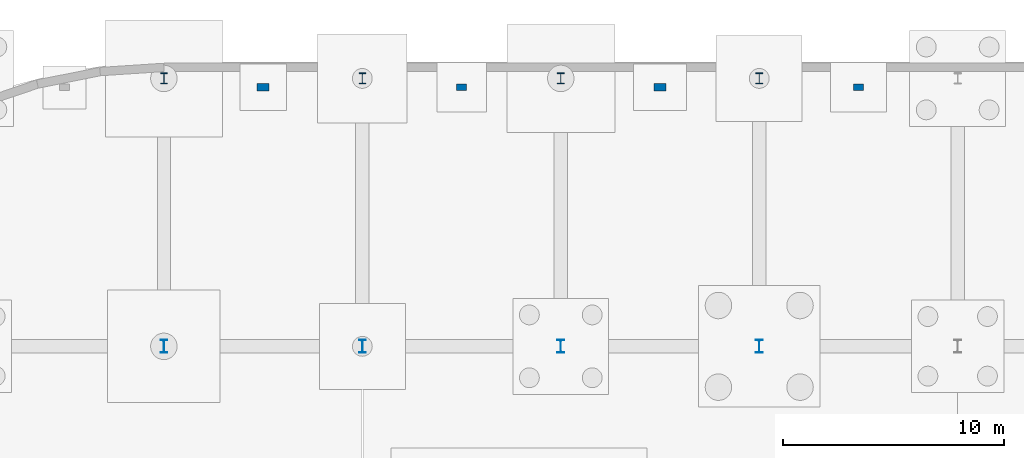
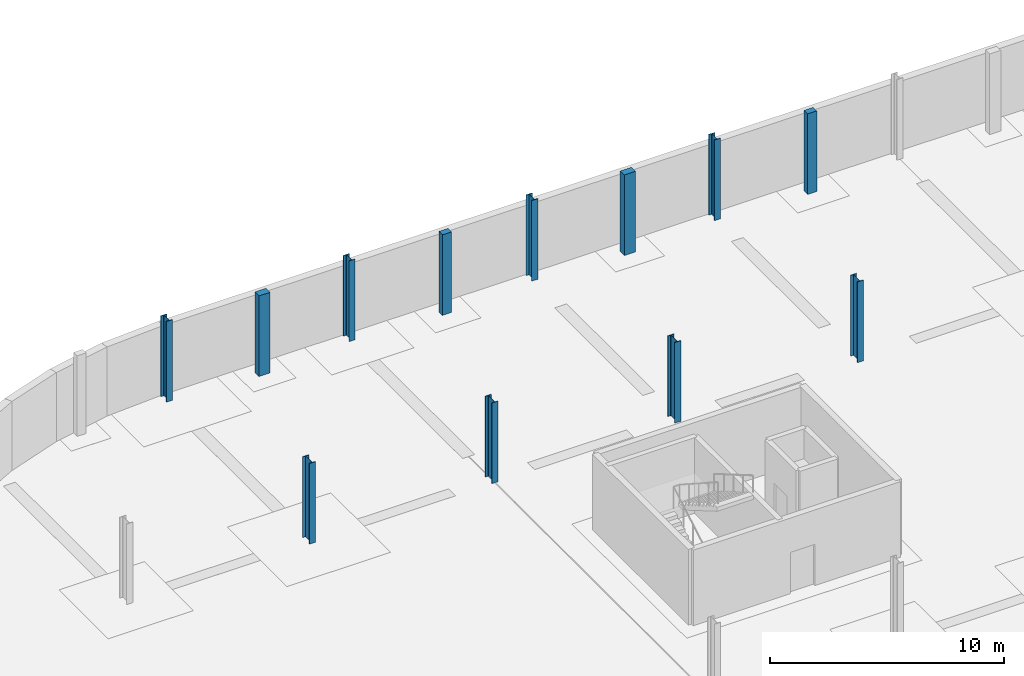
# One storey, part 22 of 42: 12 columns.
"""IFC4 building model written with IfcOpenShell, lengths in metres."""

import ifcopenshell
import ifcopenshell.guid

model = None  # the IFC model being written
_history = None  # IfcOwnerHistory: only IFC2X3 demands one
_inside = {}  # id of a spatial element -> (the spatial element, [elements in it])
_under = {}  # id of a project, library or spatial element -> (it, [spatial elements below it])
_declared = {}  # id of a project -> (the project, [libraries it declares])
_typed = {}  # id of a type object -> (the type object, [elements of that type])
_made_of = {}  # id of a material, layer set ... -> (it, [elements and type objects made of it])


def new_model(schema):
    """Start an empty IFC model of exactly this schema.

    Asked for "IFC4X3", IfcOpenShell would pick the latest addendum, in which some entities
    have other attributes; the version numbers below select the first issue.
    IFC2X3 requires an IfcOwnerHistory on every rooted entity: one is made here for all.
    """
    global model, _history
    if schema == "IFC4X3":
        model = ifcopenshell.file(schema_version=(4, 3, 0, 0))
    else:
        model = ifcopenshell.file(schema=schema)
    _inside.clear()
    _under.clear()
    _declared.clear()
    _typed.clear()
    _made_of.clear()
    _history = None
    if model.schema == "IFC2X3":
        org = make("IfcOrganization", Name="unknown")
        user = make(
            "IfcPersonAndOrganization",
            ThePerson=make("IfcPerson", FamilyName="unknown"),
            TheOrganization=org,
        )
        app = make(
            "IfcApplication",
            ApplicationDeveloper=org,
            Version="unknown",
            ApplicationFullName="unknown",
            ApplicationIdentifier="unknown",
        )
        _history = make(
            "IfcOwnerHistory",
            OwningUser=user,
            OwningApplication=app,
            ChangeAction="ADDED",
            CreationDate=0,
        )
    return model


def make(cls, **values):
    """One entity of the class cls with the attributes given. An attribute that is None is left unset."""
    return model.create_entity(
        cls, **{name: value for name, value in values.items() if value is not None}
    )


def rooted(cls, **values):
    """An entity with a GlobalId (a new one), such as an element, a storey or a relation."""
    return make(cls, GlobalId=ifcopenshell.guid.new(), OwnerHistory=_history, **values)


def si_unit(unit_type, name, prefix=None):
    """IfcSIUnit, for example si_unit("LENGTHUNIT", "METRE", prefix="MILLI")."""
    return make("IfcSIUnit", UnitType=unit_type, Prefix=prefix, Name=name)


def assignment(units):
    """IfcUnitAssignment: the units of a project."""
    return None if units is None else make("IfcUnitAssignment", Units=units)


def point(xyz):
    """IfcCartesianPoint."""
    return None if xyz is None else make("IfcCartesianPoint", Coordinates=xyz)


def direction(xyz):
    """IfcDirection."""
    return None if xyz is None else make("IfcDirection", DirectionRatios=xyz)


def frame(location, z_axis=None, x_axis=None):
    """IfcAxis2Placement3D, a coordinate frame: its origin and axes. An axis left out is left unset."""
    return make(
        "IfcAxis2Placement3D",
        Location=point(location),
        Axis=direction(z_axis),
        RefDirection=direction(x_axis),
    )


def frame_2d(location, x_axis=None):
    """IfcAxis2Placement2D, a coordinate frame in the plane: its origin and x axis."""
    return make(
        "IfcAxis2Placement2D", Location=point(location), RefDirection=direction(x_axis)
    )


def origin():
    """The frame at (0, 0, 0) with its axes left unset."""
    return frame((0.0, 0.0, 0.0))


def origin_2d():
    """The frame at (0, 0) in the plane with its x axis left unset."""
    return frame_2d((0.0, 0.0))


def place(relative_to, where):
    """IfcLocalPlacement: puts the frame where relative to a parent placement (None: the world)."""
    return make(
        "IfcLocalPlacement", PlacementRelTo=relative_to, RelativePlacement=where
    )


def context(
    kind, dimensions, precision=None, world=None, true_north=None, identifier=None
):
    """IfcGeometricRepresentationContext, for example the 3D "Model" context."""
    return make(
        "IfcGeometricRepresentationContext",
        ContextIdentifier=identifier,
        ContextType=kind,
        CoordinateSpaceDimension=dimensions,
        Precision=precision,
        WorldCoordinateSystem=world,
        TrueNorth=true_north,
    )


def subcontext(parent, identifier, kind, view, scale=None):
    """IfcGeometricRepresentationSubContext, for example "Body" below "Model"."""
    return make(
        "IfcGeometricRepresentationSubContext",
        ContextIdentifier=identifier,
        ContextType=kind,
        ParentContext=parent,
        TargetScale=scale,
        TargetView=view,
    )


def project(units=None, contexts=None):
    """IfcProject with its units and contexts."""
    return rooted(
        "IfcProject",
        Name="project",
        RepresentationContexts=contexts,
        UnitsInContext=assignment(units),
    )


def spatial(cls, under=None, at=None, **own):
    """A site, building, storey or space (cls), placed at a placement, below another one or the project."""
    s = rooted(cls, ObjectPlacement=at, **own)
    if under is not None:
        _under.setdefault(under.id(), (under, []))[1].append(s)
    return s


def profile(cls, at=None, kind="AREA", **sizes):
    """A parametric profile (cls). Its sizes go by their IFC names, for example OverallWidth=200.0."""
    return make(cls, ProfileType=kind, Position=at, **sizes)


def rectangle(**sizes):
    """IfcRectangleProfileDef."""
    return profile("IfcRectangleProfileDef", **sizes)


def i_section(**sizes):
    """IfcIShapeProfileDef."""
    return profile("IfcIShapeProfileDef", **sizes)


def extrude(swept, where, along, depth):
    """IfcExtrudedAreaSolid: the profile swept, set in the frame where, extruded along a direction by depth."""
    return make(
        "IfcExtrudedAreaSolid",
        SweptArea=swept,
        Position=where,
        ExtrudedDirection=direction(along),
        Depth=depth,
    )


def shape(context_of_items, identifier, shape_type, items):
    """IfcShapeRepresentation: the items that make up one representation, for example the "Body"."""
    return make(
        "IfcShapeRepresentation",
        ContextOfItems=context_of_items,
        RepresentationIdentifier=identifier,
        RepresentationType=shape_type,
        Items=items,
    )


def material(Name=None, Category=None):
    """IfcMaterial."""
    return make("IfcMaterial", Name=Name, Category=Category)


def material_profile(
    of_material, cross_section, Name=None, Category=None, Priority=None
):
    """IfcMaterialProfile: a cross section and its material."""
    return make(
        "IfcMaterialProfile",
        Name=Name,
        Material=of_material,
        Profile=cross_section,
        Priority=Priority,
        Category=Category,
    )


def profile_set(profiles, Name=None, composite=None):
    """IfcMaterialProfileSet."""
    return make(
        "IfcMaterialProfileSet",
        Name=Name,
        MaterialProfiles=profiles,
        CompositeProfile=composite,
    )


def made_of(thing, what):
    """Note that an element or type object is made of a material, layer set ...; save() writes the relation."""
    if what is not None:
        _made_of.setdefault(what.id(), (what, []))[1].append(thing)
    return thing


def type_object(cls, material=None, **own):
    """A type object (cls), such as IfcWallType, which elements share."""
    return made_of(rooted(cls, **own), material)


def element(
    cls,
    number,
    at=None,
    inside=None,
    cuts=None,
    type_object=None,
    material=None,
    context=None,
    identifier="Body",
    shape_type=None,
    held_by="IfcProductDefinitionShape",
    body=None,
    shapes=None,
    **own,
):
    """One element of the class cls, such as IfcWall. Its Tag is "e" and its number.

    at: its placement. inside: the storey or other place that contains it. cuts: it is an
    opening in that element (IfcRelVoidsElement). A single representation is given by context,
    identifier, shape_type and body (its items); several are given by shapes. held_by: the class
    of the entity that holds the representations. save() writes the other relations.
    """
    e = rooted(cls, Tag="e%d" % number, ObjectPlacement=at, **own)
    if body is not None:
        shapes = [shape(context, identifier, shape_type, body)]
    if shapes is not None:
        e.Representation = make(held_by, Representations=shapes)
    if inside is not None:
        _inside.setdefault(inside.id(), (inside, []))[1].append(e)
    if cuts is not None:
        rooted(
            "IfcRelVoidsElement", RelatingBuildingElement=cuts, RelatedOpeningElement=e
        )
    if type_object is not None:
        _typed.setdefault(type_object.id(), (type_object, []))[1].append(e)
    return made_of(e, material)


def aggregate(whole, parts):
    """IfcRelAggregates: a whole, such as a stair, and the parts it consists of."""
    return rooted("IfcRelAggregates", RelatingObject=whole, RelatedObjects=parts)


def save(model, path):
    """Write the relations noted so far, then the file.

    IfcRelAggregates (storeys below a building ...), IfcRelContainedInSpatialStructure (elements
    in a storey), IfcRelDefinesByType, IfcRelAssociatesMaterial and IfcRelDeclares: one each for
    every whole, place, type object, material and project.
    """
    for whole, parts in _under.values():
        aggregate(whole, parts)
    for where, things in _inside.values():
        rooted(
            "IfcRelContainedInSpatialStructure",
            RelatedElements=things,
            RelatingStructure=where,
        )
    for kind, things in _typed.values():
        rooted("IfcRelDefinesByType", RelatedObjects=things, RelatingType=kind)
    for what, things in _made_of.values():
        rooted("IfcRelAssociatesMaterial", RelatedObjects=things, RelatingMaterial=what)
    for by, libraries in _declared.values():
        rooted("IfcRelDeclares", RelatingContext=by, RelatedDefinitions=libraries)
    model.write(path)


model = new_model("IFC4")

# Units and contexts
model_context = context("Model", 3, precision=1e-05, world=origin(), true_north=direction((0.0, 1.0)))
body_context = subcontext(model_context, "Body", "Model", "MODEL_VIEW")
ifc_project = project(units=[si_unit("LENGTHUNIT", "METRE"), si_unit("AREAUNIT", "SQUARE_METRE"), si_unit("VOLUMEUNIT", "CUBIC_METRE"), si_unit("PLANEANGLEUNIT", "RADIAN"), si_unit("MASSUNIT", "GRAM", prefix="KILO")], contexts=[model_context])

# Site, building, storey
site_placement = place(None, origin())
site = spatial("IfcSite", under=ifc_project, at=site_placement, CompositionType="ELEMENT")
building_placement = place(site_placement, origin())
building = spatial("IfcBuilding", under=site, at=building_placement, Name="Deido Ridge Mobility Hub", CompositionType="ELEMENT")
storey_placement = place(building_placement, frame((0.0, 0.0, -4.199951171875)))
storey = spatial("IfcBuildingStorey", under=building, at=storey_placement, Name="B1", CompositionType="ELEMENT", Elevation=-4.199951171875)

# Columns
ifc_material_1 = material(Name="Steel S355J2 EN 10025-2", Category="steel")
ifc_material_profile_1 = material_profile(ifc_material_1, i_section(OverallWidth=0.300048828125, OverallDepth=0.5, WebThickness=0.014404296875, FlangeThickness=0.028076171875, FilletRadius=0.027099609375, at=origin_2d()), Name="HEB 500")
ifc_profile_set_1 = profile_set([ifc_material_profile_1], Name="Steel S355J2 EN 10025-2")
column_type_1 = type_object("IfcColumnType", Name="COL-HEB500", PredefinedType="COLUMN", material=ifc_profile_set_1)
for number, where, z_axis, x_axis, name in (
    (1, (63.0, 125.14990234375, 0.0), (0.0, 0.0, 1.0), (1.0, 0.0, 0.0), "Structural column C5"),
    (2, (72.0, 125.14990234375, 0.0), (0.0, 0.0, 1.0), (1.0, 0.0, 0.0), "Structural column C5"),
    (3, (81.0, 125.14990234375, 0.0), (0.0, 0.0, 1.0), (1.0, 0.0, 0.0), "Structural column C5"),
    (4, (90.0, 125.14990234375, 0.0), (0.0, 0.0, 1.0), (1.0, 0.0, 0.0), "Structural column C5"),
):
    element("IfcColumn", number, at=place(storey_placement, frame(where, z_axis=z_axis, x_axis=x_axis)), inside=storey, type_object=column_type_1, Name=name, PredefinedType="COLUMN", context=body_context, shape_type="SweptSolid", body=[
        extrude(i_section(OverallWidth=0.300048828125, OverallDepth=0.5, WebThickness=0.014404296875, FlangeThickness=0.028076171875, FilletRadius=0.027099609375, at=origin_2d()), origin(), (0.0, 0.0, 1.0), 4.199951171875),
    ])
ifc_material_profile_2 = material_profile(ifc_material_1, i_section(OverallWidth=0.300048828125, OverallDepth=0.60009765625, WebThickness=0.015380859375, FlangeThickness=0.030029296875, FilletRadius=0.027099609375, at=origin_2d()), Name="HEB 600")
ifc_profile_set_2 = profile_set([ifc_material_profile_2], Name="Steel S355J2 EN 10025-2")
column_type_2 = type_object("IfcColumnType", Name="COL-HEB600", PredefinedType="COLUMN", material=ifc_profile_set_2)
for number, where, z_axis, x_axis, name in (
    (5, (63.0, 113.0, 0.0), (0.0, 0.0, 1.0), (1.0, 0.0, 0.0), "Structural column C4"),
    (6, (72.0, 113.0, 0.0), (0.0, 0.0, 1.0), (1.0, 0.0, 0.0), "Structural column C4"),
    (7, (81.0, 113.0, 0.0), (0.0, 0.0, 1.0), (1.0, 0.0, 0.0), "Structural column C4"),
    (8, (90.0, 113.0, 0.0), (0.0, 0.0, 1.0), (1.0, 0.0, 0.0), "Structural column C4"),
):
    element("IfcColumn", number, at=place(storey_placement, frame(where, z_axis=z_axis, x_axis=x_axis)), inside=storey, type_object=column_type_2, Name=name, PredefinedType="COLUMN", context=body_context, shape_type="SweptSolid", body=[
        extrude(i_section(OverallWidth=0.300048828125, OverallDepth=0.60009765625, WebThickness=0.015380859375, FlangeThickness=0.030029296875, FilletRadius=0.027099609375, at=origin_2d()), origin(), (0.0, 0.0, 1.0), 4.199951171875),
    ])
ifc_material_2 = material(Name="Concrete C40/50", Category="concrete")
ifc_material_profile_3 = material_profile(ifc_material_2, rectangle(XDim=0.449951171875, YDim=0.300048828125, at=origin_2d()), Name="RC PILASTER 450x300")
ifc_profile_set_3 = profile_set([ifc_material_profile_3], Name="Concrete C40/50")
column_type_3 = type_object("IfcColumnType", Name="PIL-RC450", PredefinedType="PILASTER", material=ifc_profile_set_3)
for number, where, z_axis, x_axis, name in (
    (9, (76.5, 124.75, 0.0), (0.0, 0.0, 1.0), (1.0, 0.0, 0.0), "Structural column PL2"),
    (10, (94.5, 124.75, 0.0), (0.0, 0.0, 1.0), (1.0, 0.0, 0.0), "Structural column PL2"),
):
    element("IfcColumn", number, at=place(storey_placement, frame(where, z_axis=z_axis, x_axis=x_axis)), inside=storey, type_object=column_type_3, Name=name, PredefinedType="PILASTER", context=body_context, shape_type="SweptSolid", body=[
        extrude(rectangle(XDim=0.449951171875, YDim=0.300048828125, at=origin_2d()), origin(), (0.0, 0.0, 1.0), 4.199951171875),
    ])
ifc_material_profile_4 = material_profile(ifc_material_2, rectangle(XDim=0.550048828125, YDim=0.35009765625, at=origin_2d()), Name="RC PILASTER 550x350")
ifc_profile_set_4 = profile_set([ifc_material_profile_4], Name="Concrete C40/50")
column_type_4 = type_object("IfcColumnType", Name="PIL-RC550", PredefinedType="PILASTER", material=ifc_profile_set_4)
for number, where, z_axis, x_axis, name in (
    (11, (67.5, 124.75, 0.0), (0.0, 0.0, 1.0), (1.0, 0.0, 0.0), "Structural column PL1"),
    (12, (85.5, 124.75, 0.0), (0.0, 0.0, 1.0), (1.0, 0.0, 0.0), "Structural column PL1"),
):
    element("IfcColumn", number, at=place(storey_placement, frame(where, z_axis=z_axis, x_axis=x_axis)), inside=storey, type_object=column_type_4, Name=name, PredefinedType="PILASTER", context=body_context, shape_type="SweptSolid", body=[
        extrude(rectangle(XDim=0.550048828125, YDim=0.35009765625, at=origin_2d()), origin(), (0.0, 0.0, 1.0), 4.199951171875),
    ])

save(model, "model.ifc")
